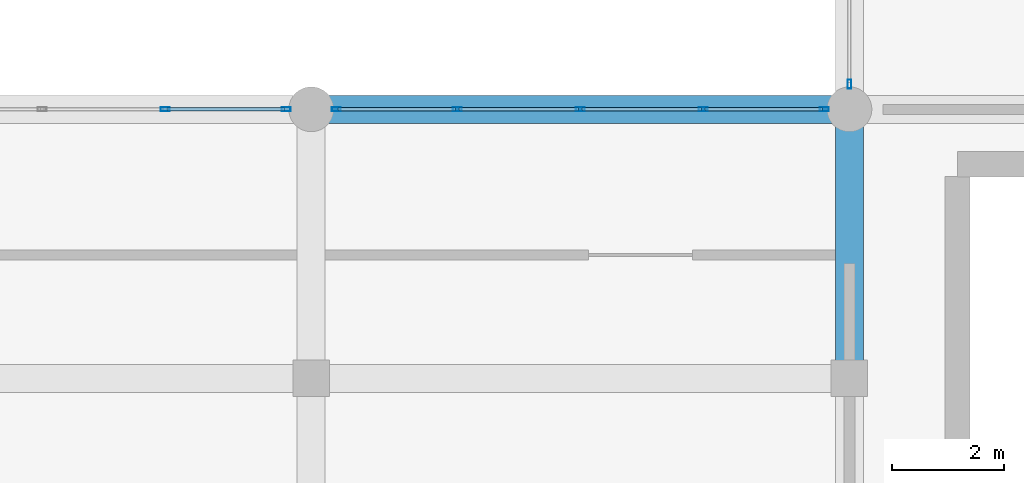
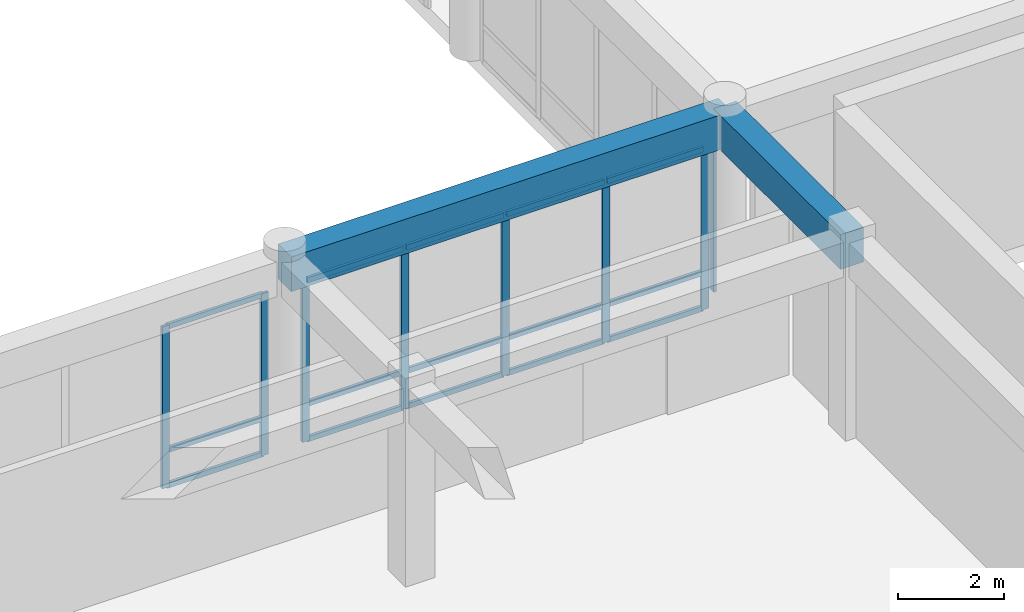
# One storey, part 14 of 101: 23 members, 2 beams, 3 elements without a shape of their own.
"""IFC4 building model written with IfcOpenShell, lengths in metres."""

from ifc_helpers import new_model, si_unit, direction, frame, origin, origin_2d, place, context, subcontext, project, spatial, rectangle, hollow_rectangle, extrude, material, layer, layer_set, material_profile, profile_set, type_object, element, aggregate, save


model = new_model("IFC4")

# Units and contexts
model_context = context("Model", 3, precision=1e-05, world=origin(), true_north=direction((0.0, 1.0)))
body_context = subcontext(model_context, "Body", "Model", "MODEL_VIEW")
ifc_project = project(units=[si_unit("LENGTHUNIT", "METRE"), si_unit("AREAUNIT", "SQUARE_METRE"), si_unit("VOLUMEUNIT", "CUBIC_METRE"), si_unit("PLANEANGLEUNIT", "RADIAN"), si_unit("MASSUNIT", "GRAM", prefix="KILO")], contexts=[model_context])

# Site, building, storey
site_placement = place(None, origin())
site = spatial("IfcSite", under=ifc_project, at=site_placement, CompositionType="ELEMENT")
building_placement = place(site_placement, origin())
building = spatial("IfcBuilding", under=site, at=building_placement, Name="Nakhvara Creek Congress Hotel", CompositionType="ELEMENT")
storey_placement = place(building_placement, frame((0.0, 0.0, 16.199951171875)))
storey = spatial("IfcBuildingStorey", under=building, at=storey_placement, Name="L03", CompositionType="ELEMENT", Elevation=16.199951171875)

# Beams
ifc_material_1 = material(Name="Concrete C40/50", Category="concrete")
ifc_material_profile_1 = material_profile(ifc_material_1, rectangle(XDim=0.5, YDim=0.800048828125, at=origin_2d()), Name="RC-BM 500x800", Category="LoadBearing")
ifc_profile_set_1 = profile_set([ifc_material_profile_1], Name="Concrete C40/50")
beam_type = type_object("IfcBeamType", Name="BM-RC-500X800", PredefinedType="BEAM", material=ifc_profile_set_1)
beam_1_placement = place(storey_placement, frame((115.199951171875, 43.199951171875, 4.14013671875), z_axis=(1.0, 0.0, 0.0), x_axis=(0.0, 1.0, 0.0)))
element("IfcBeam", 1, at=beam_1_placement, inside=storey, type_object=beam_type, Name="Beam B03-L03-1759", PredefinedType="BEAM", context=body_context, shape_type="SweptSolid", body=[
    extrude(rectangle(XDim=0.5, YDim=0.800048828125, at=origin_2d()), origin(), (0.0, 0.0, 1.0), 9.60009765625),
])
beam_2_placement = place(storey_placement, frame((124.800048828125, 38.39990234375, 4.14013671875), z_axis=(0.0, 1.0, 0.0), x_axis=(-1.0, 0.0, 0.0)))
element("IfcBeam", 2, at=beam_2_placement, inside=storey, type_object=beam_type, Name="Beam B03-L03-1772", PredefinedType="BEAM", context=body_context, shape_type="SweptSolid", body=[
    extrude(rectangle(XDim=0.5, YDim=0.800048828125, at=origin_2d()), origin(), (0.0, 0.0, 1.0), 4.800048828125),
])

# Curtain wall, members
ifc_material_2 = material(Name="Bronze-anodised aluminium AW-6063-T6 and double-silver low-E glass", Category="aluminium")
ifc_layer = layer(ifc_material_2, 0.199951171875)
ifc_layer_set = layer_set([ifc_layer], Name="Bronze-anodised aluminium AW-6063-T6 and double-silver low-E glass")
curtain_wall_type = type_object("IfcCurtainWallType", Name="CW-POD-STICK", PredefinedType="NOTDEFINED", material=ifc_layer_set)
curtain_wall_1_placement = place(storey_placement, origin())
curtain_wall_1 = element("IfcCurtainWall", 3, at=curtain_wall_1_placement, inside=storey, type_object=curtain_wall_type, Name="Curtain Wall CW055", PredefinedType="NOTDEFINED")
ifc_material_3 = material(Name="Bronze-anodised aluminium AW-6063-T6", Category="aluminium")
ifc_material_profile_2 = material_profile(ifc_material_3, hollow_rectangle(XDim=0.06494140625, YDim=0.159912109375, WallThickness=0.00390625, at=origin_2d()), Name="ALU-MULL 65x160x4", Category="LoadBearing")
ifc_profile_set_2 = profile_set([ifc_material_profile_2], Name="Bronze-anodised aluminium AW-6063-T6")
member_type_1 = type_object("IfcMemberType", Name="CW-MULL-160", PredefinedType="MULLION", material=ifc_profile_set_2)
member_1_placement = place(storey_placement, frame((112.592529296875, 43.199951171875, 0.0), z_axis=(0.0, 0.0, 1.0), x_axis=(0.0, 1.0, 0.0)))
member_1 = element("IfcMember", 4, at=member_1_placement, type_object=member_type_1, Name="CW055 mullion 4", PredefinedType="MULLION", context=body_context, shape_type="SweptSolid", body=[
    extrude(hollow_rectangle(XDim=0.06494140625, YDim=0.159912109375, WallThickness=0.00390625, at=origin_2d()), origin(), (0.0, 0.0, 1.0), 3.73193359375),
])
member_2_placement = place(storey_placement, frame((114.75244140625, 43.199951171875, 0.0), z_axis=(0.0, 0.0, 1.0), x_axis=(0.0, 1.0, 0.0)))
member_2 = element("IfcMember", 5, at=member_2_placement, type_object=member_type_1, Name="CW055 mullion 5", PredefinedType="MULLION", context=body_context, shape_type="SweptSolid", body=[
    extrude(hollow_rectangle(XDim=0.06494140625, YDim=0.159912109375, WallThickness=0.00390625, at=origin_2d()), origin(), (0.0, 0.0, 1.0), 3.73193359375),
])

curtain_wall_2_placement = place(storey_placement, origin())
curtain_wall_2 = element("IfcCurtainWall", 6, at=curtain_wall_2_placement, inside=storey, type_object=curtain_wall_type, Name="Curtain Wall CW057", PredefinedType="NOTDEFINED")
member_3_placement = place(storey_placement, frame((115.6474609375, 43.199951171875, 0.0), z_axis=(0.0, 0.0, 1.0), x_axis=(0.0, 1.0, 0.0)))
member_3 = element("IfcMember", 7, at=member_3_placement, type_object=member_type_1, Name="CW057 mullion 1", PredefinedType="MULLION", context=body_context, shape_type="SweptSolid", body=[
    extrude(hollow_rectangle(XDim=0.06494140625, YDim=0.159912109375, WallThickness=0.00390625, at=origin_2d()), origin(), (0.0, 0.0, 1.0), 3.73193359375),
])
member_4_placement = place(storey_placement, frame((117.8076171875, 43.199951171875, 0.0), z_axis=(0.0, 0.0, 1.0), x_axis=(0.0, 1.0, 0.0)))
member_4 = element("IfcMember", 8, at=member_4_placement, type_object=member_type_1, Name="CW057 mullion 2", PredefinedType="MULLION", context=body_context, shape_type="SweptSolid", body=[
    extrude(hollow_rectangle(XDim=0.06494140625, YDim=0.159912109375, WallThickness=0.00390625, at=origin_2d()), origin(), (0.0, 0.0, 1.0), 3.73193359375),
])
member_5_placement = place(storey_placement, frame((120.0, 43.199951171875, 0.0), z_axis=(0.0, 0.0, 1.0), x_axis=(0.0, 1.0, 0.0)))
member_5 = element("IfcMember", 9, at=member_5_placement, type_object=member_type_1, Name="CW057 mullion 3", PredefinedType="MULLION", context=body_context, shape_type="SweptSolid", body=[
    extrude(hollow_rectangle(XDim=0.06494140625, YDim=0.159912109375, WallThickness=0.00390625, at=origin_2d()), origin(), (0.0, 0.0, 1.0), 3.73193359375),
])
member_6_placement = place(storey_placement, frame((122.1923828125, 43.199951171875, 0.0), z_axis=(0.0, 0.0, 1.0), x_axis=(0.0, 1.0, 0.0)))
member_6 = element("IfcMember", 10, at=member_6_placement, type_object=member_type_1, Name="CW057 mullion 4", PredefinedType="MULLION", context=body_context, shape_type="SweptSolid", body=[
    extrude(hollow_rectangle(XDim=0.06494140625, YDim=0.159912109375, WallThickness=0.00390625, at=origin_2d()), origin(), (0.0, 0.0, 1.0), 3.73193359375),
])
member_7_placement = place(storey_placement, frame((124.3525390625, 43.199951171875, 0.0), z_axis=(0.0, 0.0, 1.0), x_axis=(0.0, 1.0, 0.0)))
member_7 = element("IfcMember", 11, at=member_7_placement, type_object=member_type_1, Name="CW057 mullion 5", PredefinedType="MULLION", context=body_context, shape_type="SweptSolid", body=[
    extrude(hollow_rectangle(XDim=0.06494140625, YDim=0.159912109375, WallThickness=0.00390625, at=origin_2d()), origin(), (0.0, 0.0, 1.0), 3.73193359375),
])

# Curtain wall, member
curtain_wall_3_placement = place(storey_placement, origin())
curtain_wall_3 = element("IfcCurtainWall", 12, at=curtain_wall_3_placement, inside=storey, type_object=curtain_wall_type, Name="Curtain Wall CW060", PredefinedType="NOTDEFINED")
member_8_placement = place(storey_placement, frame((124.800048828125, 43.6474609375, 0.0), z_axis=(0.0, 0.0, 1.0), x_axis=(-1.0, 0.0, 0.0)))
member_8 = element("IfcMember", 13, at=member_8_placement, type_object=member_type_1, Name="CW060 mullion 1", PredefinedType="MULLION", context=body_context, shape_type="SweptSolid", body=[
    extrude(hollow_rectangle(XDim=0.06494140625, YDim=0.159912109375, WallThickness=0.00390625, at=origin_2d()), origin(), (0.0, 0.0, 1.0), 3.73193359375),
])
aggregate(curtain_wall_3, [member_8])

# Member
ifc_material_profile_3 = material_profile(ifc_material_3, hollow_rectangle(XDim=0.06494140625, YDim=0.1201171875, WallThickness=0.00390625, at=origin_2d()), Name="ALU-TRAN 65x120x4", Category="LoadBearing")
ifc_profile_set_3 = profile_set([ifc_material_profile_3], Name="Bronze-anodised aluminium AW-6063-T6")
member_type_2 = type_object("IfcMemberType", Name="CW-TRAN-120", PredefinedType="USERDEFINED", material=ifc_profile_set_3)
member_9_placement = place(storey_placement, frame((112.625, 43.199951171875, 0.032470703125), z_axis=(1.0, 0.0, 0.0), x_axis=(0.0, 1.0, 0.0)))
member_9 = element("IfcMember", 14, at=member_9_placement, type_object=member_type_2, Name="CW055 transom 4.1", ObjectType="TRANSOM", PredefinedType="USERDEFINED", context=body_context, shape_type="SweptSolid", body=[
    extrude(hollow_rectangle(XDim=0.06494140625, YDim=0.1201171875, WallThickness=0.00390625, at=origin_2d()), origin(), (0.0, 0.0, 1.0), 2.094970703125),
])

member_10_placement = place(storey_placement, frame((112.625, 43.199951171875, 0.85009765625), z_axis=(1.0, 0.0, 0.0), x_axis=(0.0, 1.0, 0.0)))
member_10 = element("IfcMember", 15, at=member_10_placement, type_object=member_type_2, Name="CW055 transom 4.2", ObjectType="TRANSOM", PredefinedType="USERDEFINED", context=body_context, shape_type="SweptSolid", body=[
    extrude(hollow_rectangle(XDim=0.06494140625, YDim=0.1201171875, WallThickness=0.00390625, at=origin_2d()), origin(), (0.0, 0.0, 1.0), 2.094970703125),
])

member_11_placement = place(storey_placement, frame((112.625, 43.199951171875, 3.699462890625), z_axis=(1.0, 0.0, 0.0), x_axis=(0.0, 1.0, 0.0)))
member_11 = element("IfcMember", 16, at=member_11_placement, type_object=member_type_2, Name="CW055 transom 4.3", ObjectType="TRANSOM", PredefinedType="USERDEFINED", context=body_context, shape_type="SweptSolid", body=[
    extrude(hollow_rectangle(XDim=0.06494140625, YDim=0.1201171875, WallThickness=0.00390625, at=origin_2d()), origin(), (0.0, 0.0, 1.0), 2.094970703125),
])

aggregate(curtain_wall_1, [member_1, member_2, member_9, member_10, member_11])

member_12_placement = place(storey_placement, frame((115.679931640625, 43.199951171875, 0.032470703125), z_axis=(1.0, 0.0, 0.0), x_axis=(0.0, 1.0, 0.0)))
member_12 = element("IfcMember", 17, at=member_12_placement, type_object=member_type_2, Name="CW057 transom 1.1", ObjectType="TRANSOM", PredefinedType="USERDEFINED", context=body_context, shape_type="SweptSolid", body=[
    extrude(hollow_rectangle(XDim=0.06494140625, YDim=0.1201171875, WallThickness=0.00390625, at=origin_2d()), origin(), (0.0, 0.0, 1.0), 2.094970703125),
])

member_13_placement = place(storey_placement, frame((115.679931640625, 43.199951171875, 0.85009765625), z_axis=(1.0, 0.0, 0.0), x_axis=(0.0, 1.0, 0.0)))
member_13 = element("IfcMember", 18, at=member_13_placement, type_object=member_type_2, Name="CW057 transom 1.2", ObjectType="TRANSOM", PredefinedType="USERDEFINED", context=body_context, shape_type="SweptSolid", body=[
    extrude(hollow_rectangle(XDim=0.06494140625, YDim=0.1201171875, WallThickness=0.00390625, at=origin_2d()), origin(), (0.0, 0.0, 1.0), 2.094970703125),
])

member_14_placement = place(storey_placement, frame((115.679931640625, 43.199951171875, 3.699462890625), z_axis=(1.0, 0.0, 0.0), x_axis=(0.0, 1.0, 0.0)))
member_14 = element("IfcMember", 19, at=member_14_placement, type_object=member_type_2, Name="CW057 transom 1.3", ObjectType="TRANSOM", PredefinedType="USERDEFINED", context=body_context, shape_type="SweptSolid", body=[
    extrude(hollow_rectangle(XDim=0.06494140625, YDim=0.1201171875, WallThickness=0.00390625, at=origin_2d()), origin(), (0.0, 0.0, 1.0), 2.094970703125),
])

member_15_placement = place(storey_placement, frame((117.840087890625, 43.199951171875, 0.032470703125), z_axis=(1.0, 0.0, 0.0), x_axis=(0.0, 1.0, 0.0)))
member_15 = element("IfcMember", 20, at=member_15_placement, type_object=member_type_2, Name="CW057 transom 2.1", ObjectType="TRANSOM", PredefinedType="USERDEFINED", context=body_context, shape_type="SweptSolid", body=[
    extrude(hollow_rectangle(XDim=0.06494140625, YDim=0.1201171875, WallThickness=0.00390625, at=origin_2d()), origin(), (0.0, 0.0, 1.0), 2.12744140625),
])

member_16_placement = place(storey_placement, frame((117.840087890625, 43.199951171875, 0.85009765625), z_axis=(1.0, 0.0, 0.0), x_axis=(0.0, 1.0, 0.0)))
member_16 = element("IfcMember", 21, at=member_16_placement, type_object=member_type_2, Name="CW057 transom 2.2", ObjectType="TRANSOM", PredefinedType="USERDEFINED", context=body_context, shape_type="SweptSolid", body=[
    extrude(hollow_rectangle(XDim=0.06494140625, YDim=0.1201171875, WallThickness=0.00390625, at=origin_2d()), origin(), (0.0, 0.0, 1.0), 2.12744140625),
])

member_17_placement = place(storey_placement, frame((117.840087890625, 43.199951171875, 3.699462890625), z_axis=(1.0, 0.0, 0.0), x_axis=(0.0, 1.0, 0.0)))
member_17 = element("IfcMember", 22, at=member_17_placement, type_object=member_type_2, Name="CW057 transom 2.3", ObjectType="TRANSOM", PredefinedType="USERDEFINED", context=body_context, shape_type="SweptSolid", body=[
    extrude(hollow_rectangle(XDim=0.06494140625, YDim=0.1201171875, WallThickness=0.00390625, at=origin_2d()), origin(), (0.0, 0.0, 1.0), 2.12744140625),
])

member_18_placement = place(storey_placement, frame((120.032470703125, 43.199951171875, 0.032470703125), z_axis=(1.0, 0.0, 0.0), x_axis=(0.0, 1.0, 0.0)))
member_18 = element("IfcMember", 23, at=member_18_placement, type_object=member_type_2, Name="CW057 transom 3.1", ObjectType="TRANSOM", PredefinedType="USERDEFINED", context=body_context, shape_type="SweptSolid", body=[
    extrude(hollow_rectangle(XDim=0.06494140625, YDim=0.1201171875, WallThickness=0.00390625, at=origin_2d()), origin(), (0.0, 0.0, 1.0), 2.12744140625),
])

member_19_placement = place(storey_placement, frame((120.032470703125, 43.199951171875, 0.85009765625), z_axis=(1.0, 0.0, 0.0), x_axis=(0.0, 1.0, 0.0)))
member_19 = element("IfcMember", 24, at=member_19_placement, type_object=member_type_2, Name="CW057 transom 3.2", ObjectType="TRANSOM", PredefinedType="USERDEFINED", context=body_context, shape_type="SweptSolid", body=[
    extrude(hollow_rectangle(XDim=0.06494140625, YDim=0.1201171875, WallThickness=0.00390625, at=origin_2d()), origin(), (0.0, 0.0, 1.0), 2.12744140625),
])

member_20_placement = place(storey_placement, frame((120.032470703125, 43.199951171875, 3.699462890625), z_axis=(1.0, 0.0, 0.0), x_axis=(0.0, 1.0, 0.0)))
member_20 = element("IfcMember", 25, at=member_20_placement, type_object=member_type_2, Name="CW057 transom 3.3", ObjectType="TRANSOM", PredefinedType="USERDEFINED", context=body_context, shape_type="SweptSolid", body=[
    extrude(hollow_rectangle(XDim=0.06494140625, YDim=0.1201171875, WallThickness=0.00390625, at=origin_2d()), origin(), (0.0, 0.0, 1.0), 2.12744140625),
])

member_21_placement = place(storey_placement, frame((122.22509765625, 43.199951171875, 0.032470703125), z_axis=(1.0, 0.0, 0.0), x_axis=(0.0, 1.0, 0.0)))
member_21 = element("IfcMember", 26, at=member_21_placement, type_object=member_type_2, Name="CW057 transom 4.1", ObjectType="TRANSOM", PredefinedType="USERDEFINED", context=body_context, shape_type="SweptSolid", body=[
    extrude(hollow_rectangle(XDim=0.06494140625, YDim=0.1201171875, WallThickness=0.00390625, at=origin_2d()), origin(), (0.0, 0.0, 1.0), 2.094970703125),
])

member_22_placement = place(storey_placement, frame((122.22509765625, 43.199951171875, 0.85009765625), z_axis=(1.0, 0.0, 0.0), x_axis=(0.0, 1.0, 0.0)))
member_22 = element("IfcMember", 27, at=member_22_placement, type_object=member_type_2, Name="CW057 transom 4.2", ObjectType="TRANSOM", PredefinedType="USERDEFINED", context=body_context, shape_type="SweptSolid", body=[
    extrude(hollow_rectangle(XDim=0.06494140625, YDim=0.1201171875, WallThickness=0.00390625, at=origin_2d()), origin(), (0.0, 0.0, 1.0), 2.094970703125),
])

member_23_placement = place(storey_placement, frame((122.22509765625, 43.199951171875, 3.699462890625), z_axis=(1.0, 0.0, 0.0), x_axis=(0.0, 1.0, 0.0)))
member_23 = element("IfcMember", 28, at=member_23_placement, type_object=member_type_2, Name="CW057 transom 4.3", ObjectType="TRANSOM", PredefinedType="USERDEFINED", context=body_context, shape_type="SweptSolid", body=[
    extrude(hollow_rectangle(XDim=0.06494140625, YDim=0.1201171875, WallThickness=0.00390625, at=origin_2d()), origin(), (0.0, 0.0, 1.0), 2.094970703125),
])

aggregate(curtain_wall_2, [member_3, member_4, member_5, member_6, member_7, member_12, member_13, member_14, member_15, member_16, member_17, member_18, member_19, member_20, member_21, member_22, member_23])

save(model, "model.ifc")
